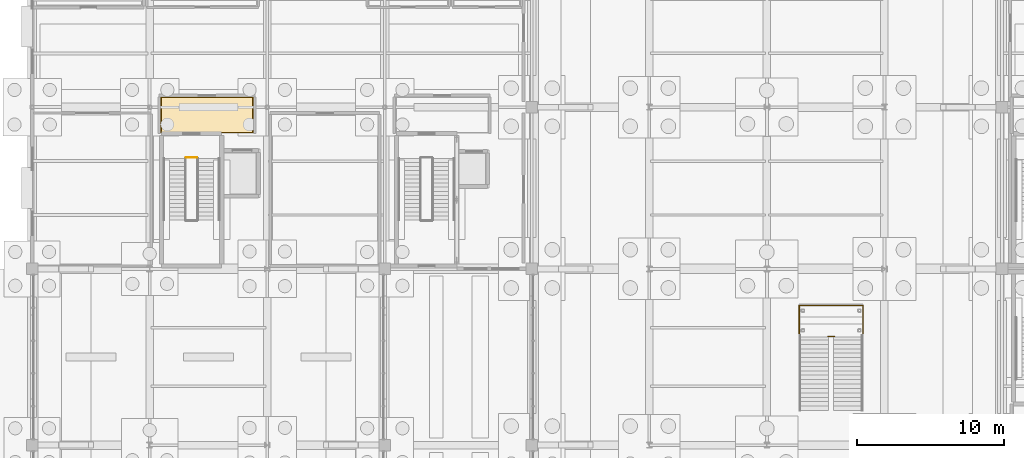
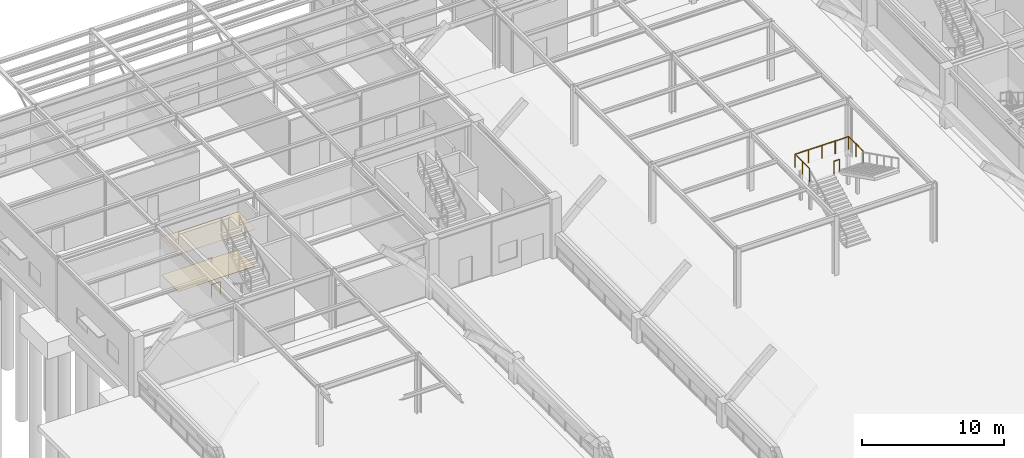
# One storey, part 122 of 129: 3 railings, 2 coverings.
"""IFC4 building model written with IfcOpenShell, lengths in metres."""

from ifc_helpers import new_model, si_unit, direction, frame, origin, origin_2d, place, context, subcontext, project, spatial, polyline, circle, outline, extrude, material, layer, layer_set, type_object, element, save


model = new_model("IFC4")

# Units and contexts
model_context = context("Model", 3, precision=1e-05, world=origin(), true_north=direction((0.0, 1.0)))
body_context = subcontext(model_context, "Body", "Model", "MODEL_VIEW")
ifc_project = project(units=[si_unit("LENGTHUNIT", "METRE"), si_unit("AREAUNIT", "SQUARE_METRE"), si_unit("VOLUMEUNIT", "CUBIC_METRE"), si_unit("PLANEANGLEUNIT", "RADIAN"), si_unit("MASSUNIT", "GRAM", prefix="KILO")], contexts=[model_context])

# Site, building, storey
site_placement = place(None, origin())
site = spatial("IfcSite", under=ifc_project, at=site_placement, CompositionType="ELEMENT")
building_placement = place(site_placement, origin())
building = spatial("IfcBuilding", under=site, at=building_placement, Name="Sitalva Quay Ferry Terminal", CompositionType="ELEMENT")
storey_placement = place(building_placement, origin())
storey = spatial("IfcBuildingStorey", under=building, at=storey_placement, Name="L01", CompositionType="ELEMENT", Elevation=0.0)

# Coverings
ifc_material_1 = material(Name="Moisture-Resistant Acoustic Gypsum Ceiling", Category="gypsum")
ifc_layer_1 = layer(ifc_material_1, 0.02490234375)
ifc_layer_set_1 = layer_set([ifc_layer_1], Name="Moisture-Resistant Acoustic Gypsum Ceiling")
covering_type_1 = type_object("IfcCoveringType", Name="Ceiling_GypsumMoisture_25", PredefinedType="CEILING", material=ifc_layer_set_1)
covering_1_placement = place(storey_placement, frame((0.0, 0.0, 3.22509765625)))
element("IfcCovering", 1, at=covering_1_placement, inside=storey, type_object=covering_type_1, Name="Firefighting & Lift Lobby C3 ceiling", PredefinedType="CEILING", context=body_context, shape_type="SweptSolid", body=[
    extrude(outline(polyline([(16.739990234375, 87.239990234375), (23.06005859375, 87.239990234375), (23.06005859375, 89.7099609375), (16.739990234375, 89.7099609375), (16.739990234375, 87.239990234375)])), origin(), (0.0, 0.0, 1.0), 0.02490234375),
])
ifc_material_2 = material(Name="Flamed Non-Slip Granite Paving", Category="masonry")
ifc_layer_2 = layer(ifc_material_2, 0.034912109375)
ifc_layer_set_2 = layer_set([ifc_layer_2], Name="Flamed Non-Slip Granite Paving")
covering_type_2 = type_object("IfcCoveringType", Name="Finish_Granite_35", PredefinedType="FLOORING", material=ifc_layer_set_2)
covering_2_placement = place(storey_placement, origin())
element("IfcCovering", 2, at=covering_2_placement, inside=storey, type_object=covering_type_2, Name="Firefighting & Lift Lobby C3 floor finish", PredefinedType="FLOORING", context=body_context, shape_type="SweptSolid", body=[
    extrude(outline(polyline([(16.7900390625, 87.2900390625), (23.010009765625, 87.2900390625), (23.010009765625, 89.659912109375), (16.7900390625, 89.659912109375), (16.7900390625, 87.2900390625)])), origin(), (0.0, 0.0, 1.0), 0.034912109375),
])

# Railings
ifc_material_3 = material(Name="Stainless Steel 316L & Laminated Glass", Category="steel")
railing_type_1 = type_object("IfcRailingType", Name="Railing_Balustrade_1120", PredefinedType="BALUSTRADE", material=ifc_material_3)
railing_1_placement = place(storey_placement, frame((60.199951171875, 73.4599609375, 2.699951171875)))
element("IfcRailing", 3, at=railing_1_placement, inside=storey, type_object=railing_type_1, Name="ST-12-GR-LD", PredefinedType="BALUSTRADE", context=body_context, shape_type="SweptSolid", body=[
    extrude(circle(Radius=0.02392578125, at=origin_2d()), frame((0.0, 0.0, 1.09619140625), z_axis=(0.0, 1.0, 0.0), x_axis=(-1.0, 0.0, 0.0)), (0.0, 0.0, 1.0), 2.050048828125),
    extrude(circle(Radius=0.02392578125, at=origin_2d()), frame((0.0, 2.050048828125, 1.09619140625), z_axis=(1.0, 0.0, 0.0), x_axis=(0.0, 1.0, 0.0)), (0.0, 0.0, 1.0), 4.35009765625),
    extrude(circle(Radius=0.02392578125, at=origin_2d()), frame((4.35009765625, 2.050048828125, 1.09619140625), z_axis=(0.0, -1.0, 0.0), x_axis=(1.0, 0.0, 0.0)), (0.0, 0.0, 1.0), 2.050048828125),
    extrude(circle(Radius=0.02099609375, at=origin_2d()), origin(), (0.0, 0.0, 1.0), 1.072021484375),
    extrude(circle(Radius=0.02099609375, at=origin_2d()), frame((0.0, 1.02490234375, 0.0)), (0.0, 0.0, 1.0), 1.072021484375),
    extrude(circle(Radius=0.02099609375, at=origin_2d()), frame((0.0, 2.050048828125, 0.0)), (0.0, 0.0, 1.0), 1.072021484375),
    extrude(circle(Radius=0.02099609375, at=origin_2d()), frame((1.08740234375, 2.050048828125, 0.0)), (0.0, 0.0, 1.0), 1.072021484375),
    extrude(circle(Radius=0.02099609375, at=origin_2d()), frame((2.175048828125, 2.050048828125, 0.0)), (0.0, 0.0, 1.0), 1.072021484375),
    extrude(circle(Radius=0.02099609375, at=origin_2d()), frame((3.2626953125, 2.050048828125, 0.0)), (0.0, 0.0, 1.0), 1.072021484375),
    extrude(circle(Radius=0.02099609375, at=origin_2d()), frame((4.35009765625, 2.050048828125, 0.0)), (0.0, 0.0, 1.0), 1.072021484375),
    extrude(circle(Radius=0.02099609375, at=origin_2d()), frame((4.35009765625, 1.02490234375, 0.0)), (0.0, 0.0, 1.0), 1.072021484375),
    extrude(circle(Radius=0.02099609375, at=origin_2d()), frame((4.35009765625, 0.0, 0.0)), (0.0, 0.0, 1.0), 1.072021484375),
])
railing_2_placement = place(storey_placement, frame((62.14990234375, 73.39990234375, 2.699951171875)))
element("IfcRailing", 4, at=railing_2_placement, inside=storey, type_object=railing_type_1, Name="ST-12-GR-SLOT", PredefinedType="BALUSTRADE", context=body_context, shape_type="SweptSolid", body=[
    extrude(circle(Radius=0.02392578125, at=origin_2d()), frame((0.0, 0.0, 1.09619140625), z_axis=(1.0, 0.0, 0.0), x_axis=(0.0, 1.0, 0.0)), (0.0, 0.0, 1.0), 0.4501953125),
    extrude(circle(Radius=0.02099609375, at=origin_2d()), origin(), (0.0, 0.0, 1.0), 1.072021484375),
    extrude(circle(Radius=0.02099609375, at=origin_2d()), frame((0.4501953125, 0.0, 0.0)), (0.0, 0.0, 1.0), 1.072021484375),
])
ifc_material_4 = material(Name="Galvanised Steel S275JR", Category="steel")
railing_type_2 = type_object("IfcRailingType", Name="Railing_Guard_1100", PredefinedType="GUARDRAIL", material=ifc_material_4)
railing_3_placement = place(storey_placement, frame((18.47998046875, 85.570068359375, 0.0)))
element("IfcRailing", 5, at=railing_3_placement, inside=storey, type_object=railing_type_2, Name="L01 ST-03 stair guard 4", PredefinedType="GUARDRAIL", context=body_context, shape_type="SweptSolid", body=[
    extrude(circle(Radius=0.02392578125, at=origin_2d()), frame((0.0, 0.0, 1.076171875), z_axis=(1.0, 0.0, 0.0), x_axis=(0.0, 1.0, 0.0)), (0.0, 0.0, 1.0), 0.739990234375),
    extrude(circle(Radius=0.02099609375, at=origin_2d()), origin(), (0.0, 0.0, 1.0), 1.052001953125),
    extrude(circle(Radius=0.02099609375, at=origin_2d()), frame((0.739990234375, 0.0, 0.0)), (0.0, 0.0, 1.0), 1.052001953125),
])

save(model, "model.ifc")
